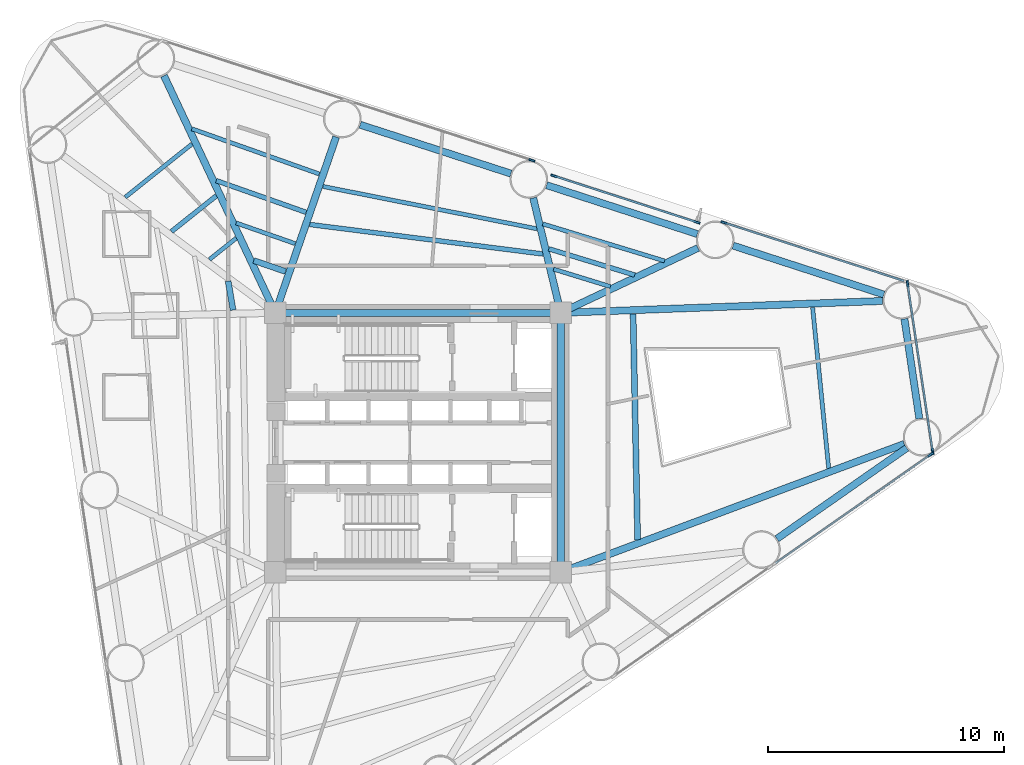
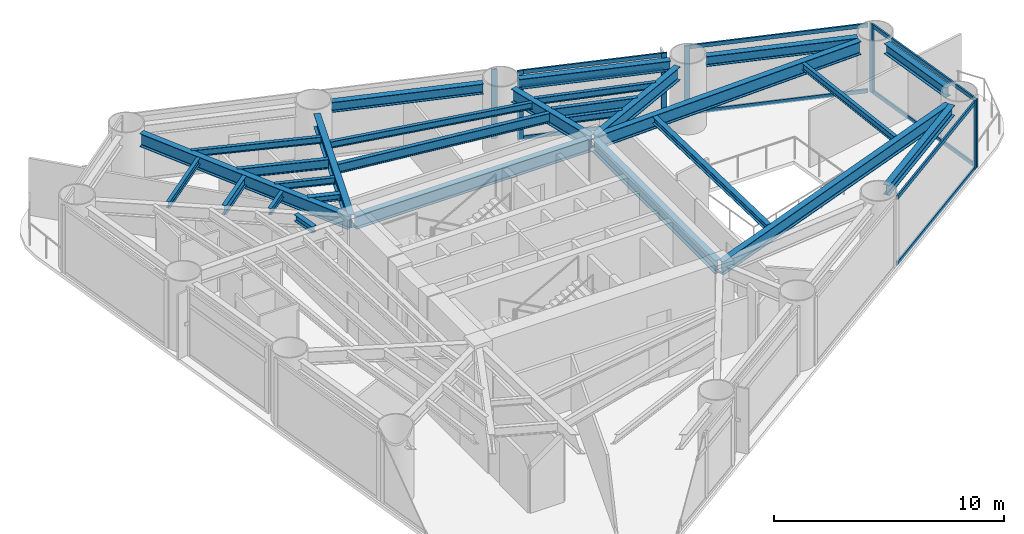
# One storey, part 3 of 9: 28 beams, 16 members, 5 elements without a shape of their own.
"""IFC4 building model written with IfcOpenShell, lengths in metres."""

from ifc_helpers import new_model, si_unit, direction, frame, origin, origin_2d, place, context, subcontext, project, spatial, rectangle, i_section, extrude, source, transform, mapped, material, layer, layer_set, material_profile, profile_set, type_object, element, aggregate, save


model = new_model("IFC4")

# Units and contexts
model_context = context("Model", 3, precision=1e-05, world=origin(), true_north=direction((0.0, 1.0)))
body_context = subcontext(model_context, "Body", "Model", "MODEL_VIEW")
ifc_project = project(units=[si_unit("LENGTHUNIT", "METRE"), si_unit("AREAUNIT", "SQUARE_METRE"), si_unit("VOLUMEUNIT", "CUBIC_METRE"), si_unit("PLANEANGLEUNIT", "RADIAN"), si_unit("MASSUNIT", "GRAM", prefix="KILO")], contexts=[model_context])

# Site, building, storey
site_placement = place(None, origin())
site = spatial("IfcSite", under=ifc_project, at=site_placement, CompositionType="ELEMENT")
building_placement = place(site_placement, origin())
building = spatial("IfcBuilding", under=site, at=building_placement, Name="Yunling Apex Tower", CompositionType="ELEMENT")
storey_placement = place(building_placement, frame((0.0, 0.0, 62.300048828125)))
storey = spatial("IfcBuildingStorey", under=building, at=storey_placement, Name="L16", CompositionType="ELEMENT", Elevation=62.300048828125)

# Beams
ifc_material_1 = material(Name="Steel Q355B", Category="steel")
ifc_material_profile_1 = material_profile(ifc_material_1, i_section(OverallWidth=0.300048828125, OverallDepth=0.699951171875, WebThickness=0.012939453125, FlangeThickness=0.02392578125, FilletRadius=0.02587890625, at=origin_2d()))
ifc_profile_set_1 = profile_set([ifc_material_profile_1], Name="Steel Q355B")
beam_type_1 = type_object("IfcBeamType", Name="BG-PRI-3", PredefinedType="USERDEFINED", material=ifc_profile_set_1)
shared_shape_1 = source(origin(), body_context, "Body", "SweptSolid", [
    extrude(i_section(OverallWidth=0.300048828125, OverallDepth=0.699951171875, WebThickness=0.012939453125, FlangeThickness=0.02392578125, FilletRadius=0.02587890625, at=origin_2d()), origin(), (0.0, 0.0, 1.0), 11.7998046875),
])
beam_1_placement = place(storey_placement, frame((5.89990234375, 5.5, 3.21484375), z_axis=(-1.0, 0.0, 0.0), x_axis=(0.0, -1.0, 0.0)))
element("IfcBeam", 1, at=beam_1_placement, inside=storey, type_object=beam_type_1, Name="L16 Core Ring Tie Beam 3", ObjectType="GIRDER", PredefinedType="USERDEFINED", context=body_context, shape_type="MappedRepresentation", body=[
    mapped(shared_shape_1, transform((0.0, 0.0, 0.0), scale=1.0)),
])
shared_shape_2 = source(origin(), body_context, "Body", "SweptSolid", [
    extrude(i_section(OverallWidth=0.300048828125, OverallDepth=0.699951171875, WebThickness=0.012939453125, FlangeThickness=0.02392578125, FilletRadius=0.02587890625, at=origin_2d()), origin(), (0.0, 0.0, 1.0), 10.7001953125),
])
beam_2_placement = place(storey_placement, frame((6.050048828125, -5.35009765625, 3.21484375), z_axis=(0.0, 1.0, 0.0), x_axis=(-1.0, 0.0, 0.0)))
element("IfcBeam", 2, at=beam_2_placement, inside=storey, type_object=beam_type_1, Name="L16 Core Ring Tie Beam 2", ObjectType="GIRDER", PredefinedType="USERDEFINED", context=body_context, shape_type="MappedRepresentation", body=[
    mapped(shared_shape_2, transform((0.0, 0.0, 0.0), scale=1.0)),
])
ifc_material_profile_2 = material_profile(ifc_material_1, i_section(OverallWidth=0.300048828125, OverallDepth=0.5400390625, WebThickness=0.011962890625, FlangeThickness=0.02001953125, FilletRadius=0.02392578125, at=origin_2d()))
ifc_profile_set_2 = profile_set([ifc_material_profile_2], Name="Steel Q355B")
beam_type_2 = type_object("IfcBeamType", Name="BP-SPN-1", PredefinedType="SPANDREL", material=ifc_profile_set_2)
shared_shape_3 = source(origin(), body_context, "Body", "SweptSolid", [
    extrude(i_section(OverallWidth=0.300048828125, OverallDepth=0.5400390625, WebThickness=0.011962890625, FlangeThickness=0.02001953125, FilletRadius=0.02392578125, at=origin_2d()), origin(), (0.0, 0.0, 1.0), 6.721435546875),
])
for number, where, z_axis, x_axis, name in (
    (3, (15.212158203125, -4.08056640625, 3.294921875), (0.81955772083, 0.572996633697, 0.0), (-0.572996633697, 0.81955772083, 0.0), "L16 Perimeter Spandrel Beam 4"),
    (4, (19.748291015625, 6.277099609375, 3.294921875), (-0.95126256707, 0.308382114415, 0.0), (-0.308382114415, -0.95126256707, 0.0), "L16 Perimeter Spandrel Beam 6"),
    (5, (3.939453125, 11.401611328125, 3.294921875), (-0.95126256707, 0.308382114415, 0.0), (-0.308382114415, -0.95126256707, 0.0), "L16 Perimeter Spandrel Beam 8"),
):
    element("IfcBeam", number, at=place(storey_placement, frame(where, z_axis=z_axis, x_axis=x_axis)), inside=storey, type_object=beam_type_2, Name=name, PredefinedType="SPANDREL", context=body_context, shape_type="MappedRepresentation", body=[
        mapped(shared_shape_3, transform((0.0, 0.0, 0.0), scale=1.0)),
    ])
shared_shape_4 = source(origin(), body_context, "Body", "SweptSolid", [
    extrude(i_section(OverallWidth=0.300048828125, OverallDepth=0.5400390625, WebThickness=0.011962890625, FlangeThickness=0.02001953125, FilletRadius=0.02392578125, at=origin_2d()), origin(), (0.0, 0.0, 1.0), 4.283203125),
])
beam_3_placement = place(storey_placement, frame((21.25390625, 1.010986328125, 3.294921875), z_axis=(-0.147802479388, 0.989016899293, 0.0), x_axis=(-0.989016899293, -0.147802479388, 0.0)))
element("IfcBeam", 6, at=beam_3_placement, inside=storey, type_object=beam_type_2, Name="L16 Perimeter Spandrel Beam 5", PredefinedType="SPANDREL", context=body_context, shape_type="MappedRepresentation", body=[
    mapped(shared_shape_4, transform((0.0, 0.0, 0.0), scale=1.0)),
])
shared_shape_5 = source(origin(), body_context, "Body", "SweptSolid", [
    extrude(i_section(OverallWidth=0.300048828125, OverallDepth=0.5400390625, WebThickness=0.011962890625, FlangeThickness=0.02001953125, FilletRadius=0.02392578125, at=origin_2d()), origin(), (0.0, 0.0, 1.0), 6.72119140625),
])
beam_4_placement = place(storey_placement, frame((11.84375, 8.83935546875, 3.294921875), z_axis=(-0.951259112593, 0.308392770197, 0.0), x_axis=(-0.308392770197, -0.951259112593, 0.0)))
element("IfcBeam", 7, at=beam_4_placement, inside=storey, type_object=beam_type_2, Name="L16 Perimeter Spandrel Beam 7", PredefinedType="SPANDREL", context=body_context, shape_type="MappedRepresentation", body=[
    mapped(shared_shape_5, transform((0.0, 0.0, 0.0), scale=1.0)),
])
shared_shape_6 = source(origin(), body_context, "Body", "SweptSolid", [
    extrude(i_section(OverallWidth=0.300048828125, OverallDepth=0.699951171875, WebThickness=0.012939453125, FlangeThickness=0.02392578125, FilletRadius=0.02587890625, at=origin_2d()), origin(), (0.0, 0.0, 1.0), 15.46826171875),
])
beam_5_placement = place(storey_placement, frame((20.614501953125, -0.05712890625, 3.21484375), z_axis=(-0.936727481876, -0.350059458804, 0.0), x_axis=(0.350059458804, -0.936727481876, 0.0)))
element("IfcBeam", 8, at=beam_5_placement, inside=storey, type_object=beam_type_1, Name="L16 Radial Primary Girder R05", ObjectType="GIRDER", PredefinedType="USERDEFINED", context=body_context, shape_type="MappedRepresentation", body=[
    mapped(shared_shape_6, transform((0.0, 0.0, 0.0), scale=1.0)),
])
shared_shape_7 = source(origin(), body_context, "Body", "SweptSolid", [
    extrude(i_section(OverallWidth=0.300048828125, OverallDepth=0.699951171875, WebThickness=0.012939453125, FlangeThickness=0.02392578125, FilletRadius=0.02587890625, at=origin_2d()), origin(), (0.0, 0.0, 1.0), 13.575439453125),
])
beam_6_placement = place(storey_placement, frame((19.696044921875, 6.002685546875, 3.21484375), z_axis=(-0.99932215556, -0.036813440575, 0.0), x_axis=(0.036813440575, -0.99932215556, 0.0)))
element("IfcBeam", 9, at=beam_6_placement, inside=storey, type_object=beam_type_1, Name="L16 Radial Primary Girder R06", ObjectType="GIRDER", PredefinedType="USERDEFINED", context=body_context, shape_type="MappedRepresentation", body=[
    mapped(shared_shape_7, transform((0.0, 0.0, 0.0), scale=1.0)),
])
shared_shape_8 = source(origin(), body_context, "Body", "SweptSolid", [
    extrude(i_section(OverallWidth=0.300048828125, OverallDepth=0.699951171875, WebThickness=0.012939453125, FlangeThickness=0.02392578125, FilletRadius=0.02587890625, at=origin_2d()), origin(), (0.0, 0.0, 1.0), 6.35546875),
])
beam_7_placement = place(storey_placement, frame((11.86865234375, 8.24951171875, 3.21484375), z_axis=(-0.90414025985, -0.427235755196, 0.0), x_axis=(0.427235755196, -0.90414025985, 0.0)))
element("IfcBeam", 10, at=beam_7_placement, inside=storey, type_object=beam_type_1, Name="L16 Radial Primary Girder R07", ObjectType="GIRDER", PredefinedType="USERDEFINED", context=body_context, shape_type="MappedRepresentation", body=[
    mapped(shared_shape_8, transform((0.0, 0.0, 0.0), scale=1.0)),
])
shared_shape_9 = source(origin(), body_context, "Body", "SweptSolid", [
    extrude(i_section(OverallWidth=0.300048828125, OverallDepth=0.699951171875, WebThickness=0.012939453125, FlangeThickness=0.02392578125, FilletRadius=0.02587890625, at=origin_2d()), origin(), (0.0, 0.0, 1.0), 4.928955078125),
])
beam_8_placement = place(storey_placement, frame((4.883056640625, 10.37109375, 3.21484375), z_axis=(0.233002001977, -0.972476255276, 0.0), x_axis=(0.972476255276, 0.233002001977, 0.0)))
element("IfcBeam", 11, at=beam_8_placement, inside=storey, type_object=beam_type_1, Name="L16 Radial Primary Girder R08", ObjectType="GIRDER", PredefinedType="USERDEFINED", context=body_context, shape_type="MappedRepresentation", body=[
    mapped(shared_shape_9, transform((0.0, 0.0, 0.0), scale=1.0)),
])
shared_shape_10 = source(origin(), body_context, "Body", "SweptSolid", [
    extrude(i_section(OverallWidth=0.300048828125, OverallDepth=0.699951171875, WebThickness=0.012939453125, FlangeThickness=0.02392578125, FilletRadius=0.02587890625, at=origin_2d()), origin(), (0.0, 0.0, 1.0), 7.807861328125),
])
beam_9_placement = place(storey_placement, frame((-3.473388671875, 12.955322265625, 3.21484375), z_axis=(-0.326658398033, -0.945142471268, 0.0), x_axis=(0.945142471268, -0.326658398033, 0.0)))
element("IfcBeam", 12, at=beam_9_placement, inside=storey, type_object=beam_type_1, Name="L16 Radial Primary Girder R09", ObjectType="GIRDER", PredefinedType="USERDEFINED", context=body_context, shape_type="MappedRepresentation", body=[
    mapped(shared_shape_10, transform((0.0, 0.0, 0.0), scale=1.0)),
])
shared_shape_11 = source(origin(), body_context, "Body", "SweptSolid", [
    extrude(i_section(OverallWidth=0.300048828125, OverallDepth=0.699951171875, WebThickness=0.012939453125, FlangeThickness=0.02392578125, FilletRadius=0.02587890625, at=origin_2d()), origin(), (0.0, 0.0, 1.0), 11.0234375),
])
beam_10_placement = place(storey_placement, frame((-10.7705078125, 15.550048828125, 3.21484375), z_axis=(0.425144169149, -0.905125646216, 0.0), x_axis=(0.905125646216, 0.425144169149, 0.0)))
element("IfcBeam", 13, at=beam_10_placement, inside=storey, type_object=beam_type_1, Name="L16 Radial Primary Girder R10", ObjectType="GIRDER", PredefinedType="USERDEFINED", context=body_context, shape_type="MappedRepresentation", body=[
    mapped(shared_shape_11, transform((0.0, 0.0, 0.0), scale=1.0)),
])
ifc_material_profile_3 = material_profile(ifc_material_1, i_section(OverallWidth=0.175048828125, OverallDepth=0.35009765625, WebThickness=0.007080078125, FlangeThickness=0.010986328125, FilletRadius=0.013916015625, at=origin_2d()))
ifc_profile_set_3 = profile_set([ifc_material_profile_3], Name="Steel Q355B")
beam_type_3 = type_object("IfcBeamType", Name="BJ-JST-1", PredefinedType="JOIST", material=ifc_profile_set_3)
shared_shape_12 = source(origin(), body_context, "Body", "SweptSolid", [
    extrude(i_section(OverallWidth=0.175048828125, OverallDepth=0.35009765625, WebThickness=0.007080078125, FlangeThickness=0.010986328125, FilletRadius=0.013916015625, at=origin_2d()), origin(), (0.0, 0.0, 1.0), 6.856689453125),
])
beam_11_placement = place(storey_placement, frame((17.410888671875, -1.089111328125, 3.389892578125), z_axis=(-0.099697612772, 0.995017781754, 0.0), x_axis=(-0.995017781754, -0.099697612772, 0.0)))
element("IfcBeam", 14, at=beam_11_placement, inside=storey, type_object=beam_type_3, Name="L16 Composite Floor Joist BJ1-5", PredefinedType="JOIST", context=body_context, shape_type="MappedRepresentation", body=[
    mapped(shared_shape_12, transform((0.0, 0.0, 0.0), scale=1.0)),
])
ifc_material_profile_4 = material_profile(ifc_material_1, i_section(OverallWidth=0.25, OverallDepth=0.340087890625, WebThickness=0.009033203125, FlangeThickness=0.013916015625, FilletRadius=0.01806640625, at=origin_2d()))
ifc_profile_set_4 = profile_set([ifc_material_profile_4], Name="Steel Q355B")
beam_type_4 = type_object("IfcBeamType", Name="BJ-JST-2", PredefinedType="JOIST", material=ifc_profile_set_4)
shared_shape_13 = source(origin(), body_context, "Body", "SweptSolid", [
    extrude(i_section(OverallWidth=0.25, OverallDepth=0.340087890625, WebThickness=0.009033203125, FlangeThickness=0.013916015625, FilletRadius=0.01806640625, at=origin_2d()), origin(), (0.0, 0.0, 1.0), 9.57568359375),
])
beam_12_placement = place(storey_placement, frame((9.309326171875, -4.120849609375, 3.39501953125), z_axis=(-0.020014350968, 0.999799692816, 0.0), x_axis=(-0.999799692816, -0.020014350968, 0.0)))
element("IfcBeam", 15, at=beam_12_placement, inside=storey, type_object=beam_type_4, Name="L16 Composite Floor Joist BJ2-5", PredefinedType="JOIST", context=body_context, shape_type="MappedRepresentation", body=[
    mapped(shared_shape_13, transform((0.0, 0.0, 0.0), scale=1.0)),
])
ifc_material_profile_5 = material_profile(ifc_material_1, i_section(OverallWidth=0.199951171875, OverallDepth=0.5, WebThickness=0.010009765625, FlangeThickness=0.01611328125, FilletRadius=0.02001953125, at=origin_2d()))
ifc_profile_set_5 = profile_set([ifc_material_profile_5], Name="Steel Q355B")
beam_type_5 = type_object("IfcBeamType", Name="BS-SEC-2", PredefinedType="BEAM", material=ifc_profile_set_5)
shared_shape_14 = source(origin(), body_context, "Body", "SweptSolid", [
    extrude(i_section(OverallWidth=0.199951171875, OverallDepth=0.5, WebThickness=0.010009765625, FlangeThickness=0.01611328125, FilletRadius=0.02001953125, at=origin_2d()), origin(), (0.0, 0.0, 1.0), 3.812255859375),
])
beam_13_placement = place(storey_placement, frame((9.187255859375, 7.1015625, 3.31494140625), z_axis=(-0.956390339833, 0.292091625819, 0.0), x_axis=(-0.292091625819, -0.956390339833, 0.0)))
element("IfcBeam", 16, at=beam_13_placement, inside=storey, type_object=beam_type_5, Name="L16 Composite Floor Beam BS-7", PredefinedType="BEAM", context=body_context, shape_type="MappedRepresentation", body=[
    mapped(shared_shape_14, transform((0.0, 0.0, 0.0), scale=1.0)),
])
shared_shape_15 = source(origin(), body_context, "Body", "SweptSolid", [
    extrude(i_section(OverallWidth=0.175048828125, OverallDepth=0.35009765625, WebThickness=0.007080078125, FlangeThickness=0.010986328125, FilletRadius=0.013916015625, at=origin_2d()), origin(), (0.0, 0.0, 1.0), 5.396484375),
])
beam_14_placement = place(storey_placement, frame((10.451416015625, 7.698486328125, 3.389892578125), z_axis=(-0.95665799, 0.291213822077, 0.0), x_axis=(-0.291213822077, -0.95665799, 0.0)))
element("IfcBeam", 17, at=beam_14_placement, inside=storey, type_object=beam_type_3, Name="L16 Composite Floor Joist BJ1-7", PredefinedType="JOIST", context=body_context, shape_type="MappedRepresentation", body=[
    mapped(shared_shape_15, transform((0.0, 0.0, 0.0), scale=1.0)),
])
shared_shape_16 = source(origin(), body_context, "Body", "SweptSolid", [
    extrude(i_section(OverallWidth=0.175048828125, OverallDepth=0.35009765625, WebThickness=0.007080078125, FlangeThickness=0.010986328125, FilletRadius=0.013916015625, at=origin_2d()), origin(), (0.0, 0.0, 1.0), 2.516357421875),
])
beam_15_placement = place(storey_placement, frame((8.153076171875, 6.613037109375, 3.389892578125), z_axis=(-0.955871264671, 0.293785849515, 0.0), x_axis=(-0.293785849515, -0.955871264671, 0.0)))
element("IfcBeam", 18, at=beam_15_placement, inside=storey, type_object=beam_type_3, Name="L16 Composite Floor Joist BJ3-7", PredefinedType="JOIST", context=body_context, shape_type="MappedRepresentation", body=[
    mapped(shared_shape_16, transform((0.0, 0.0, 0.0), scale=1.0)),
])
shared_shape_17 = source(origin(), body_context, "Body", "SweptSolid", [
    extrude(i_section(OverallWidth=0.199951171875, OverallDepth=0.5, WebThickness=0.010009765625, FlangeThickness=0.01611328125, FilletRadius=0.02001953125, at=origin_2d()), origin(), (0.0, 0.0, 1.0), 9.967529296875),
])
beam_16_placement = place(storey_placement, frame((5.298583984375, 7.994384765625, 3.31494140625), z_axis=(-0.992092895005, 0.125505727681, 0.0), x_axis=(-0.125505727681, -0.992092895005, 0.0)))
element("IfcBeam", 19, at=beam_16_placement, inside=storey, type_object=beam_type_5, Name="L16 Composite Floor Beam BS-8", PredefinedType="BEAM", context=body_context, shape_type="MappedRepresentation", body=[
    mapped(shared_shape_17, transform((0.0, 0.0, 0.0), scale=1.0)),
])
shared_shape_18 = source(origin(), body_context, "Body", "SweptSolid", [
    extrude(i_section(OverallWidth=0.175048828125, OverallDepth=0.35009765625, WebThickness=0.007080078125, FlangeThickness=0.010986328125, FilletRadius=0.013916015625, at=origin_2d()), origin(), (0.0, 0.0, 1.0), 9.254638671875),
])
beam_17_placement = place(storey_placement, frame((5.047607421875, 9.06005859375, 3.389892578125), z_axis=(-0.98094926536, 0.194264095472, 0.0), x_axis=(-0.194264095472, -0.98094926536, 0.0)))
element("IfcBeam", 20, at=beam_17_placement, inside=storey, type_object=beam_type_3, Name="L16 Composite Floor Joist BJ1-8", PredefinedType="JOIST", context=body_context, shape_type="MappedRepresentation", body=[
    mapped(shared_shape_18, transform((0.0, 0.0, 0.0), scale=1.0)),
])
shared_shape_19 = source(origin(), body_context, "Body", "SweptSolid", [
    extrude(i_section(OverallWidth=0.199951171875, OverallDepth=0.5, WebThickness=0.010009765625, FlangeThickness=0.01611328125, FilletRadius=0.02001953125, at=origin_2d()), origin(), (0.0, 0.0, 1.0), 4.04150390625),
])
beam_18_placement = place(storey_placement, frame((-4.74658203125, 9.761474609375, 3.31494140625), z_axis=(-0.942979180686, 0.332851715924, 0.0), x_axis=(-0.332851715924, -0.942979180686, 0.0)))
element("IfcBeam", 21, at=beam_18_placement, inside=storey, type_object=beam_type_5, Name="L16 Composite Floor Beam BS-9", PredefinedType="BEAM", context=body_context, shape_type="MappedRepresentation", body=[
    mapped(shared_shape_19, transform((0.0, 0.0, 0.0), scale=1.0)),
])
shared_shape_20 = source(origin(), body_context, "Body", "SweptSolid", [
    extrude(i_section(OverallWidth=0.175048828125, OverallDepth=0.35009765625, WebThickness=0.007080078125, FlangeThickness=0.010986328125, FilletRadius=0.013916015625, at=origin_2d()), origin(), (0.0, 0.0, 1.0), 5.733154296875),
])
beam_19_placement = place(storey_placement, frame((-4.185302734375, 11.38525390625, 3.389892578125), z_axis=(-0.942485311423, 0.334247569553, 0.0), x_axis=(-0.334247569553, -0.942485311423, 0.0)))
element("IfcBeam", 22, at=beam_19_placement, inside=storey, type_object=beam_type_3, Name="L16 Composite Floor Joist BJ1-9", PredefinedType="JOIST", context=body_context, shape_type="MappedRepresentation", body=[
    mapped(shared_shape_20, transform((0.0, 0.0, 0.0), scale=1.0)),
])
shared_shape_21 = source(origin(), body_context, "Body", "SweptSolid", [
    extrude(i_section(OverallWidth=0.175048828125, OverallDepth=0.35009765625, WebThickness=0.007080078125, FlangeThickness=0.010986328125, FilletRadius=0.013916015625, at=origin_2d()), origin(), (0.0, 0.0, 1.0), 2.657470703125),
])
beam_20_placement = place(storey_placement, frame((-5.205810546875, 8.432861328125, 3.389892578125), z_axis=(-0.943816811427, 0.330469100623, 0.0), x_axis=(-0.330469100623, -0.943816811427, 0.0)))
element("IfcBeam", 23, at=beam_20_placement, inside=storey, type_object=beam_type_3, Name="L16 Composite Floor Joist BJ3-9", PredefinedType="JOIST", context=body_context, shape_type="MappedRepresentation", body=[
    mapped(shared_shape_21, transform((0.0, 0.0, 0.0), scale=1.0)),
])
shared_shape_22 = source(origin(), body_context, "Body", "SweptSolid", [
    extrude(i_section(OverallWidth=0.25, OverallDepth=0.340087890625, WebThickness=0.009033203125, FlangeThickness=0.013916015625, FilletRadius=0.01806640625, at=origin_2d()), origin(), (0.0, 0.0, 1.0), 1.42724609375),
])
beam_21_placement = place(storey_placement, frame((-5.614013671875, 7.251220703125, 3.39501953125), z_axis=(-0.94564715029, 0.325194506639, 0.0), x_axis=(-0.325194506639, -0.94564715029, 0.0)))
element("IfcBeam", 24, at=beam_21_placement, inside=storey, type_object=beam_type_4, Name="L16 Composite Floor Joist BJ2-9", PredefinedType="JOIST", context=body_context, shape_type="MappedRepresentation", body=[
    mapped(shared_shape_22, transform((0.0, 0.0, 0.0), scale=1.0)),
])
shared_shape_23 = source(origin(), body_context, "Body", "SweptSolid", [
    extrude(i_section(OverallWidth=0.199951171875, OverallDepth=0.5, WebThickness=0.010009765625, FlangeThickness=0.01611328125, FilletRadius=0.02001953125, at=origin_2d()), origin(), (0.0, 0.0, 1.0), 2.4287109375),
])
beam_22_placement = place(storey_placement, frame((-8.552490234375, 10.46142578125, 3.31494140625), z_axis=(-0.782093234133, -0.62316143424, 0.0), x_axis=(0.62316143424, -0.782093234133, 0.0)))
element("IfcBeam", 25, at=beam_22_placement, inside=storey, type_object=beam_type_5, Name="L16 Composite Floor Beam BS-10", PredefinedType="BEAM", context=body_context, shape_type="MappedRepresentation", body=[
    mapped(shared_shape_23, transform((0.0, 0.0, 0.0), scale=1.0)),
])
shared_shape_24 = source(origin(), body_context, "Body", "SweptSolid", [
    extrude(i_section(OverallWidth=0.175048828125, OverallDepth=0.35009765625, WebThickness=0.007080078125, FlangeThickness=0.010986328125, FilletRadius=0.013916015625, at=origin_2d()), origin(), (0.0, 0.0, 1.0), 3.62060546875),
])
beam_23_placement = place(storey_placement, frame((-9.58349609375, 12.656494140625, 3.389892578125), z_axis=(-0.782123735438, -0.623123151925, 0.0), x_axis=(0.623123151925, -0.782123735438, 0.0)))
element("IfcBeam", 26, at=beam_23_placement, inside=storey, type_object=beam_type_3, Name="L16 Composite Floor Joist BJ1-10", PredefinedType="JOIST", context=body_context, shape_type="MappedRepresentation", body=[
    mapped(shared_shape_24, transform((0.0, 0.0, 0.0), scale=1.0)),
])
shared_shape_25 = source(origin(), body_context, "Body", "SweptSolid", [
    extrude(i_section(OverallWidth=0.175048828125, OverallDepth=0.35009765625, WebThickness=0.007080078125, FlangeThickness=0.010986328125, FilletRadius=0.013916015625, at=origin_2d()), origin(), (0.0, 0.0, 1.0), 1.453369140625),
])
beam_24_placement = place(storey_placement, frame((-7.708740234375, 8.66552734375, 3.389892578125), z_axis=(-0.78201477261, -0.62325989396, 0.0), x_axis=(0.62325989396, -0.78201477261, 0.0)))
element("IfcBeam", 27, at=beam_24_placement, inside=storey, type_object=beam_type_3, Name="L16 Composite Floor Joist BJ3-10", PredefinedType="JOIST", context=body_context, shape_type="MappedRepresentation", body=[
    mapped(shared_shape_25, transform((0.0, 0.0, 0.0), scale=1.0)),
])
shared_shape_26 = source(origin(), body_context, "Body", "SweptSolid", [
    extrude(i_section(OverallWidth=0.25, OverallDepth=0.340087890625, WebThickness=0.009033203125, FlangeThickness=0.013916015625, FilletRadius=0.01806640625, at=origin_2d()), origin(), (0.0, 0.0, 1.0), 1.242431640625),
])
beam_25_placement = place(storey_placement, frame((-8.05078125, 6.84228515625, 3.39501953125), z_axis=(0.168412893697, -0.985716540004, 0.0), x_axis=(0.985716540004, 0.168412893697, 0.0)))
element("IfcBeam", 28, at=beam_25_placement, inside=storey, type_object=beam_type_4, Name="L16 Composite Floor Joist BJ2-11", PredefinedType="JOIST", context=body_context, shape_type="MappedRepresentation", body=[
    mapped(shared_shape_26, transform((0.0, 0.0, 0.0), scale=1.0)),
])

# Curtain wall, member
ifc_material_2 = material(Name="Bronze anodised aluminium", Category="aluminium")
ifc_layer = layer(ifc_material_2, 0.260009765625)
ifc_layer_set = layer_set([ifc_layer], Name="Bronze anodised aluminium")
curtain_wall_type = type_object("IfcCurtainWallType", Name="CW-SYS-2", PredefinedType="NOTDEFINED", material=ifc_layer_set)
curtain_wall_1_placement = place(storey_placement, origin())
curtain_wall_1 = element("IfcCurtainWall", 29, at=curtain_wall_1_placement, inside=storey, type_object=curtain_wall_type, Name="CW-L16-F1-B4", PredefinedType="NOTDEFINED")
ifc_material_profile_6 = material_profile(ifc_material_2, rectangle(XDim=0.0849609375, YDim=0.260009765625, at=origin_2d()))
ifc_profile_set_6 = profile_set([ifc_material_profile_6], Name="Bronze anodised aluminium")
member_type_1 = type_object("IfcMemberType", Name="CW-MUL-2", PredefinedType="MULLION", material=ifc_profile_set_6)
shared_shape_27 = source(origin(), body_context, "Body", "SweptSolid", [
    extrude(rectangle(XDim=0.0849609375, YDim=0.260009765625, at=origin_2d()), origin(), (0.0, 0.0, 1.0), 3.6650390625),
])
member_1_placement = place(storey_placement, frame((21.735107421875, -0.50830078125, -0.050048828125), z_axis=(0.0, 0.0, 1.0), x_axis=(-0.573004358875, 0.819552319691, 0.0)))
member_1 = element("IfcMember", 30, at=member_1_placement, type_object=member_type_1, Name="CW-SYS-2 mullion 2", PredefinedType="MULLION", context=body_context, shape_type="MappedRepresentation", body=[
    mapped(shared_shape_27, transform((0.0, 0.0, 0.0), scale=1.0)),
])

# Curtain wall, members
curtain_wall_2_placement = place(storey_placement, origin())
curtain_wall_2 = element("IfcCurtainWall", 31, at=curtain_wall_2_placement, inside=storey, type_object=curtain_wall_type, Name="CW-L16-CRN1", PredefinedType="NOTDEFINED")
member_2_placement = place(storey_placement, frame((21.817626953125, -0.379638671875, -0.050048828125), z_axis=(0.0, 0.0, 1.0), x_axis=(-0.989017551472, -0.147798115278, 0.0)))
member_2 = element("IfcMember", 32, at=member_2_placement, type_object=member_type_1, Name="CW-SYS-2 mullion 1", PredefinedType="MULLION", context=body_context, shape_type="MappedRepresentation", body=[
    mapped(shared_shape_27, transform((0.0, 0.0, 0.0), scale=1.0)),
])
member_3_placement = place(storey_placement, frame((20.75341796875, 6.741943359375, -0.050048828125), z_axis=(0.0, 0.0, 1.0), x_axis=(-0.989017551472, -0.147798115278, 0.0)))
member_3 = element("IfcMember", 33, at=member_3_placement, type_object=member_type_1, Name="CW-SYS-2 mullion 2", PredefinedType="MULLION", context=body_context, shape_type="MappedRepresentation", body=[
    mapped(shared_shape_27, transform((0.0, 0.0, 0.0), scale=1.0)),
])

# Curtain wall, member
curtain_wall_3_placement = place(storey_placement, origin())
curtain_wall_3 = element("IfcCurtainWall", 34, at=curtain_wall_3_placement, inside=storey, type_object=curtain_wall_type, Name="CW-L16-F2-B1", PredefinedType="NOTDEFINED")
member_4_placement = place(storey_placement, frame((12.96533203125, 9.327392578125, -0.050048828125), z_axis=(0.0, 0.0, 1.0), x_axis=(-0.30835735341, -0.951270593784, 0.0)))
member_4 = element("IfcMember", 35, at=member_4_placement, type_object=member_type_1, Name="CW-SYS-2 mullion 2", PredefinedType="MULLION", context=body_context, shape_type="MappedRepresentation", body=[
    mapped(shared_shape_27, transform((0.0, 0.0, 0.0), scale=1.0)),
])

# Curtain wall, members
curtain_wall_4_placement = place(storey_placement, origin())
curtain_wall_4 = element("IfcCurtainWall", 36, at=curtain_wall_4_placement, inside=storey, type_object=curtain_wall_type, Name="CW-L16-F2-B2", PredefinedType="NOTDEFINED")
member_5_placement = place(storey_placement, frame((11.828369140625, 9.338623046875, -0.050048828125), z_axis=(0.0, 0.0, 1.0), x_axis=(-0.308351975608, -0.951272336999, 0.0)))
member_5 = element("IfcMember", 37, at=member_5_placement, type_object=member_type_1, Name="CW-SYS-2 mullion 1", PredefinedType="MULLION", context=body_context, shape_type="MappedRepresentation", body=[
    mapped(shared_shape_27, transform((0.0, 0.0, 0.0), scale=1.0)),
])
member_6_placement = place(storey_placement, frame((5.75537109375, 11.30712890625, -0.050048828125), z_axis=(0.0, 0.0, 1.0), x_axis=(-0.308351975608, -0.951272336999, 0.0)))
member_6 = element("IfcMember", 38, at=member_6_placement, type_object=member_type_1, Name="CW-SYS-2 mullion 2", PredefinedType="MULLION", context=body_context, shape_type="MappedRepresentation", body=[
    mapped(shared_shape_27, transform((0.0, 0.0, 0.0), scale=1.0)),
])

# Curtain wall, member
curtain_wall_5_placement = place(storey_placement, origin())
curtain_wall_5 = element("IfcCurtainWall", 39, at=curtain_wall_5_placement, inside=storey, type_object=curtain_wall_type, Name="CW-L16-F2-B3", PredefinedType="NOTDEFINED")
member_7_placement = place(storey_placement, frame((4.827880859375, 11.965087890625, -0.050048828125), z_axis=(0.0, 0.0, 1.0), x_axis=(-0.308368457544, -0.951266994272, 0.0)))
member_7 = element("IfcMember", 40, at=member_7_placement, type_object=member_type_1, Name="CW-SYS-2 mullion 1", PredefinedType="MULLION", context=body_context, shape_type="MappedRepresentation", body=[
    mapped(shared_shape_27, transform((0.0, 0.0, 0.0), scale=1.0)),
])
aggregate(curtain_wall_5, [member_7])

# Member
ifc_material_profile_7 = material_profile(ifc_material_2, rectangle(XDim=0.0849609375, YDim=0.199951171875, at=origin_2d()))
ifc_profile_set_7 = profile_set([ifc_material_profile_7], Name="Bronze anodised aluminium")
member_type_2 = type_object("IfcMemberType", Name="CW-TRN-2", PredefinedType="USERDEFINED", material=ifc_profile_set_7)
shared_shape_28 = source(origin(), body_context, "Body", "SweptSolid", [
    extrude(rectangle(XDim=0.0849609375, YDim=0.199951171875, at=origin_2d()), origin(), (0.0, 0.0, 1.0), 6.3076171875),
])
member_8_placement = place(storey_placement, frame((11.7919921875, 9.350341796875, 0.04248046875), z_axis=(-0.951267321757, 0.308367447306, 0.0), x_axis=(-0.308367447306, -0.951267321757, 0.0)))
member_8 = element("IfcMember", 41, at=member_8_placement, type_object=member_type_2, Name="CW-SYS-2 transom 1.1", ObjectType="TRANSOM", PredefinedType="USERDEFINED", context=body_context, shape_type="MappedRepresentation", body=[
    mapped(shared_shape_28, transform((0.0, 0.0, 0.0), scale=1.0)),
])

member_9_placement = place(storey_placement, frame((11.7919921875, 9.350341796875, 2.71484375), z_axis=(-0.951267321757, 0.308367447306, 0.0), x_axis=(-0.308367447306, -0.951267321757, 0.0)))
member_9 = element("IfcMember", 42, at=member_9_placement, type_object=member_type_2, Name="CW-SYS-2 transom 1.2", ObjectType="TRANSOM", PredefinedType="USERDEFINED", context=body_context, shape_type="MappedRepresentation", body=[
    mapped(shared_shape_28, transform((0.0, 0.0, 0.0), scale=1.0)),
])

member_10_placement = place(storey_placement, frame((11.7919921875, 9.350341796875, 3.5224609375), z_axis=(-0.951267321757, 0.308367447306, 0.0), x_axis=(-0.308367447306, -0.951267321757, 0.0)))
member_10 = element("IfcMember", 43, at=member_10_placement, type_object=member_type_2, Name="CW-SYS-2 transom 1.3", ObjectType="TRANSOM", PredefinedType="USERDEFINED", context=body_context, shape_type="MappedRepresentation", body=[
    mapped(shared_shape_28, transform((0.0, 0.0, 0.0), scale=1.0)),
])

aggregate(curtain_wall_4, [member_5, member_6, member_8, member_9, member_10])

shared_shape_29 = source(origin(), body_context, "Body", "SweptSolid", [
    extrude(rectangle(XDim=0.0849609375, YDim=0.199951171875, at=origin_2d()), origin(), (0.0, 0.0, 1.0), 7.98779296875),
])
member_11_placement = place(storey_placement, frame((15.1572265625, -5.107177734375, 0.04248046875), z_axis=(0.819559176955, 0.572994550995, 0.0), x_axis=(-0.572994550995, 0.819559176955, 0.0)))
member_11 = element("IfcMember", 44, at=member_11_placement, type_object=member_type_2, Name="CW-SYS-2 transom 1.1", ObjectType="TRANSOM", PredefinedType="USERDEFINED", context=body_context, shape_type="MappedRepresentation", body=[
    mapped(shared_shape_29, transform((0.0, 0.0, 0.0), scale=1.0)),
])

member_12_placement = place(storey_placement, frame((15.1572265625, -5.107177734375, 3.5224609375), z_axis=(0.819559176955, 0.572994550995, 0.0), x_axis=(-0.572994550995, 0.819559176955, 0.0)))
member_12 = element("IfcMember", 45, at=member_12_placement, type_object=member_type_2, Name="CW-SYS-2 transom 1.2", ObjectType="TRANSOM", PredefinedType="USERDEFINED", context=body_context, shape_type="MappedRepresentation", body=[
    mapped(shared_shape_29, transform((0.0, 0.0, 0.0), scale=1.0)),
])

aggregate(curtain_wall_1, [member_1, member_11, member_12])

member_13_placement = place(storey_placement, frame((20.600341796875, 6.8525390625, 0.04248046875), z_axis=(-0.951270077756, 0.308358945331, 0.0), x_axis=(-0.308358945331, -0.951270077756, 0.0)))
member_13 = element("IfcMember", 46, at=member_13_placement, type_object=member_type_2, Name="CW-SYS-2 transom 1.1", ObjectType="TRANSOM", PredefinedType="USERDEFINED", context=body_context, shape_type="MappedRepresentation", body=[
    mapped(shared_shape_29, transform((0.0, 0.0, 0.0), scale=1.0)),
])

member_14_placement = place(storey_placement, frame((20.600341796875, 6.8525390625, 3.5224609375), z_axis=(-0.951270077756, 0.308358945331, 0.0), x_axis=(-0.308358945331, -0.951270077756, 0.0)))
member_14 = element("IfcMember", 47, at=member_14_placement, type_object=member_type_2, Name="CW-SYS-2 transom 1.2", ObjectType="TRANSOM", PredefinedType="USERDEFINED", context=body_context, shape_type="MappedRepresentation", body=[
    mapped(shared_shape_29, transform((0.0, 0.0, 0.0), scale=1.0)),
])

aggregate(curtain_wall_3, [member_4, member_13, member_14])

shared_shape_30 = source(origin(), body_context, "Body", "SweptSolid", [
    extrude(rectangle(XDim=0.0849609375, YDim=0.199951171875, at=origin_2d()), origin(), (0.0, 0.0, 1.0), 7.1240234375),
])
member_15_placement = place(storey_placement, frame((21.81201171875, -0.341796875, 0.04248046875), z_axis=(-0.147804185278, 0.989016644357, 0.0), x_axis=(-0.989016644357, -0.147804185278, 0.0)))
member_15 = element("IfcMember", 48, at=member_15_placement, type_object=member_type_2, Name="CW-SYS-2 transom 1.1", ObjectType="TRANSOM", PredefinedType="USERDEFINED", context=body_context, shape_type="MappedRepresentation", body=[
    mapped(shared_shape_30, transform((0.0, 0.0, 0.0), scale=1.0)),
])

member_16_placement = place(storey_placement, frame((21.81201171875, -0.341796875, 3.5224609375), z_axis=(-0.147804185278, 0.989016644357, 0.0), x_axis=(-0.989016644357, -0.147804185278, 0.0)))
member_16 = element("IfcMember", 49, at=member_16_placement, type_object=member_type_2, Name="CW-SYS-2 transom 1.2", ObjectType="TRANSOM", PredefinedType="USERDEFINED", context=body_context, shape_type="MappedRepresentation", body=[
    mapped(shared_shape_30, transform((0.0, 0.0, 0.0), scale=1.0)),
])

aggregate(curtain_wall_2, [member_2, member_3, member_15, member_16])

save(model, "model.ifc")
